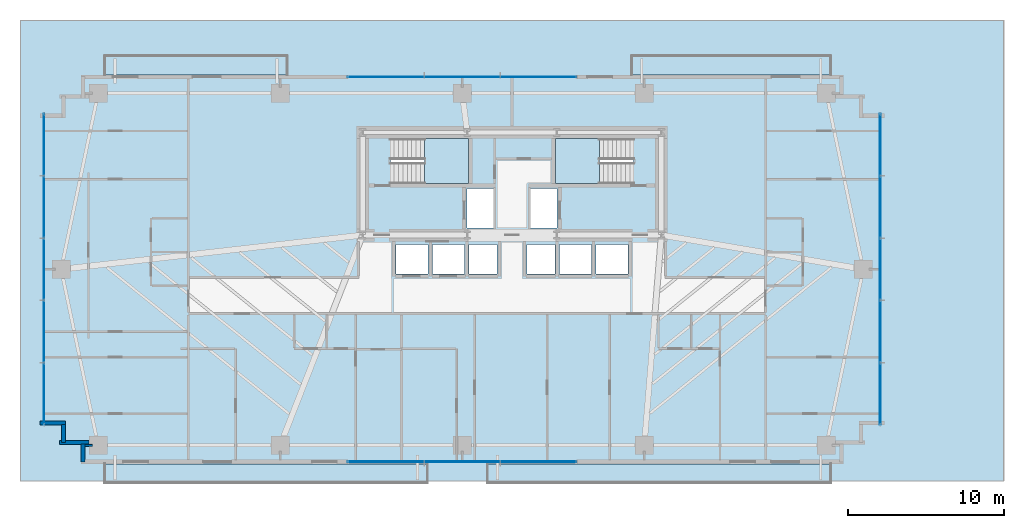
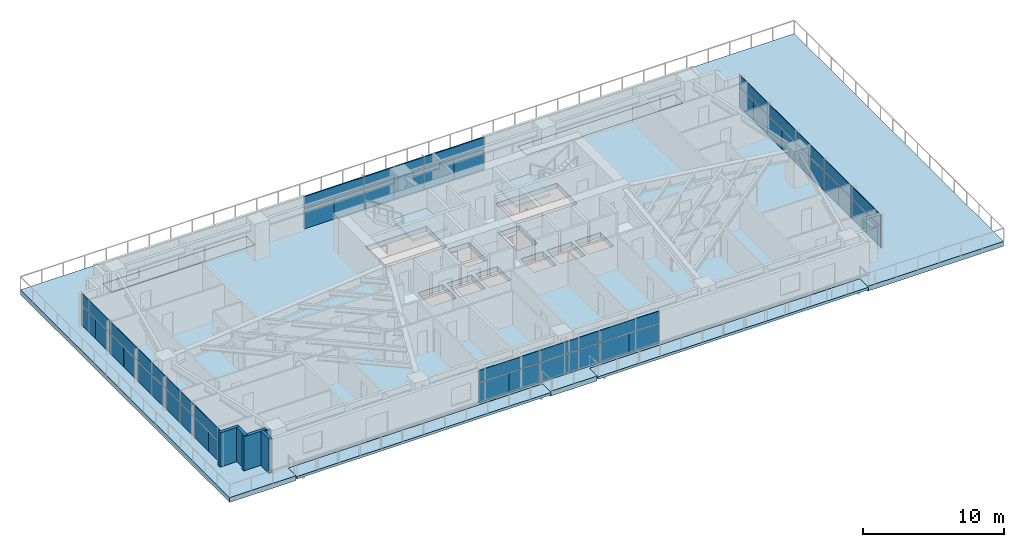
# One storey, part 18 of 26: 48 plates, 7 slabs, 5 walls, 6 elements without a shape of their own.
"""IFC4 building model written with IfcOpenShell, lengths in metres."""

from ifc_helpers import new_model, si_unit, direction, frame, frame_2d, origin, origin_2d, place, context, subcontext, project, spatial, polyline, rectangle, outline, extrude, source, transform, mapped, material, layer, layer_set, type_object, type_shapes, element, aggregate, save


model = new_model("IFC4")

# Units and contexts
model_context = context("Model", 3, precision=1e-05, world=origin(), true_north=direction((0.0, 1.0)))
body_context = subcontext(model_context, "Body", "Model", "MODEL_VIEW")
ifc_project = project(units=[si_unit("LENGTHUNIT", "METRE"), si_unit("AREAUNIT", "SQUARE_METRE"), si_unit("VOLUMEUNIT", "CUBIC_METRE"), si_unit("PLANEANGLEUNIT", "RADIAN"), si_unit("MASSUNIT", "GRAM", prefix="KILO")], contexts=[model_context])

# Site, building, storey
site_placement = place(None, origin())
site = spatial("IfcSite", under=ifc_project, at=site_placement, CompositionType="ELEMENT")
building_placement = place(site_placement, origin())
building = spatial("IfcBuilding", under=site, at=building_placement, Name="Astriad Promenade Condominiums", CompositionType="ELEMENT")
storey_placement = place(building_placement, frame((0.0, 0.0, 23.0)))
storey = spatial("IfcBuildingStorey", under=building, at=storey_placement, Name="L05", CompositionType="ELEMENT", Elevation=23.0)

# Slab
ifc_material_1 = material(Name="Concrete C60/75", Category="concrete")
ifc_layer_1 = layer(ifc_material_1, 0.419921875)
ifc_layer_set_1 = layer_set([ifc_layer_1], Name="Concrete C60/75")
slab_type_1 = type_object("IfcSlabType", Name="CONCRETE TRANSFER FLOOR SLAB 420", PredefinedType="FLOOR", material=ifc_layer_set_1)
slab_1_placement = place(storey_placement, frame((0.0, 0.0, -0.419921875)))
element("IfcSlab", 1, at=slab_1_placement, inside=storey, type_object=slab_type_1, Name="Structural Floor Slab (L05)", PredefinedType="FLOOR", context=body_context, shape_type="SweptSolid", body=[
    extrude(outline(polyline([(56.49609375, 1.60009765625), (67.60009765625, 1.60009765625), (67.60009765625, 31.199951171875), (4.39990234375, 31.199951171875), (4.39990234375, 1.60009765625), (9.825927734375, 1.60009765625), (9.825927734375, 2.701904296875), (30.574951171875, 2.701904296875), (30.574951171875, 1.60009765625), (34.416015625, 1.60009765625), (34.416015625, 2.701904296875), (56.49609375, 2.701904296875), (56.49609375, 1.60009765625)]), holes=[polyline([(21.552001953125, 28.922119140625), (9.825927734375, 28.922119140625), (9.825927734375, 27.697998046875), (21.552001953125, 27.697998046875), (21.552001953125, 28.922119140625)]), polyline([(56.49609375, 27.697998046875), (56.49609375, 28.922119140625), (43.68798828125, 28.922119140625), (43.68798828125, 27.697998046875), (56.49609375, 27.697998046875)]), polyline([(28.175048828125, 20.699951171875), (33.175048828125, 20.699951171875), (33.175048828125, 23.60009765625), (28.175048828125, 23.60009765625), (28.175048828125, 20.699951171875)]), polyline([(38.824951171875, 20.699951171875), (43.824951171875, 20.699951171875), (43.824951171875, 23.60009765625), (38.824951171875, 23.60009765625), (38.824951171875, 20.699951171875)]), polyline([(33.10009765625, 17.85009765625), (34.800048828125, 17.85009765625), (34.800048828125, 20.39990234375), (33.10009765625, 20.39990234375), (33.10009765625, 17.85009765625)]), polyline([(37.199951171875, 17.85009765625), (38.89990234375, 17.85009765625), (38.89990234375, 20.39990234375), (37.199951171875, 20.39990234375), (37.199951171875, 17.85009765625)]), polyline([(28.550048828125, 14.89990234375), (30.60009765625, 14.89990234375), (30.60009765625, 16.800048828125), (28.550048828125, 16.800048828125), (28.550048828125, 14.89990234375)]), polyline([(30.89990234375, 14.89990234375), (32.949951171875, 14.89990234375), (32.949951171875, 16.800048828125), (30.89990234375, 16.800048828125), (30.89990234375, 14.89990234375)]), polyline([(33.25, 14.89990234375), (35.050048828125, 14.89990234375), (35.050048828125, 16.800048828125), (33.25, 16.800048828125), (33.25, 14.89990234375)]), polyline([(36.949951171875, 14.89990234375), (38.75, 14.89990234375), (38.75, 16.800048828125), (36.949951171875, 16.800048828125), (36.949951171875, 14.89990234375)]), polyline([(39.050048828125, 14.89990234375), (41.10009765625, 14.89990234375), (41.10009765625, 16.800048828125), (39.050048828125, 16.800048828125), (39.050048828125, 14.89990234375)]), polyline([(41.39990234375, 14.89990234375), (43.449951171875, 14.89990234375), (43.449951171875, 16.800048828125), (41.39990234375, 16.800048828125), (41.39990234375, 14.89990234375)])]), origin(), (0.0, 0.0, 1.0), 0.419921875),
])

# Stair, slab
ifc_material_2 = material(Name="Concrete C50/60", Category="concrete")
stair_type = type_object("IfcStairType", Name="STR-CORE-1350", PredefinedType="HALF_TURN_STAIR", material=ifc_material_2)
stair_1_placement = place(storey_placement, origin())
stair_1 = element("IfcStair", 2, at=stair_1_placement, inside=storey, type_object=stair_type, Name="L05 Enclosed Core Exit Stair ST-1", PredefinedType="HALF_TURN_STAIR")
ifc_layer_2 = layer(ifc_material_2, 0.219970703125)
ifc_layer_set_2 = layer_set([ifc_layer_2], Name="Concrete C50/60")
slab_type_2 = type_object("IfcSlabType", Name="SLB-LANDING-220", PredefinedType="LANDING", material=ifc_layer_set_2)
slab_2_placement = place(storey_placement, frame((0.0, 0.0, 1.39990234375)))
slab_2 = element("IfcSlab", 3, at=slab_2_placement, type_object=slab_type_2, Name="ST-1 landing 1", PredefinedType="LANDING", context=body_context, shape_type="SweptSolid", body=[
    extrude(outline(polyline([(30.389892578125, 20.699951171875), (33.199951171875, 20.699951171875), (33.199951171875, 23.60009765625), (30.389892578125, 23.60009765625), (30.389892578125, 20.699951171875)])), origin(), (0.0, 0.0, 1.0), 0.2001953125),
])
aggregate(stair_1, [slab_2])

stair_2_placement = place(storey_placement, origin())
stair_2 = element("IfcStair", 4, at=stair_2_placement, inside=storey, type_object=stair_type, Name="L05 Enclosed Core Exit Stair ST-2", PredefinedType="HALF_TURN_STAIR")
slab_3_placement = place(storey_placement, frame((0.0, 0.0, 1.39990234375)))
slab_3 = element("IfcSlab", 5, at=slab_3_placement, type_object=slab_type_2, Name="ST-2 landing 1", PredefinedType="LANDING", context=body_context, shape_type="SweptSolid", body=[
    extrude(outline(polyline([(41.610107421875, 23.60009765625), (38.800048828125, 23.60009765625), (38.800048828125, 20.699951171875), (41.610107421875, 20.699951171875), (41.610107421875, 23.60009765625)])), origin(), (0.0, 0.0, 1.0), 0.2001953125),
])
aggregate(stair_2, [slab_3])

# Slabs
ifc_material_3 = material(Name="Precast concrete C50/60", Category="concrete")
ifc_layer_3 = layer(ifc_material_3, 0.219970703125)
ifc_layer_set_3 = layer_set([ifc_layer_3], Name="Precast concrete C50/60")
slab_type_3 = type_object("IfcSlabType", Name="WHITE PRECAST CONCRETE WAVE BALCONY SLAB 220", PredefinedType="FLOOR", material=ifc_layer_set_3)
slab_4_placement = place(storey_placement, frame((0.0, 0.0, -0.219970703125)))
element("IfcSlab", 6, at=slab_4_placement, inside=storey, type_object=slab_type_3, Name="White Precast Wave Balcony Slab BAL-L05-SW", PredefinedType="FLOOR", context=body_context, shape_type="SweptSolid", body=[
    extrude(outline(polyline([(9.827880859375, 1.47998046875), (30.572998046875, 1.47998046875), (30.572998046875, 2.699951171875), (9.827880859375, 2.699951171875), (9.827880859375, 1.47998046875)])), origin(), (0.0, 0.0, 1.0), 0.219970703125),
])
slab_5_placement = place(storey_placement, frame((0.0, 0.0, -0.219970703125)))
element("IfcSlab", 7, at=slab_5_placement, inside=storey, type_object=slab_type_3, Name="White Precast Wave Balcony Slab BAL-L05-SE", PredefinedType="FLOOR", context=body_context, shape_type="SweptSolid", body=[
    extrude(outline(polyline([(34.41796875, 1.47998046875), (56.493896484375, 1.47998046875), (56.493896484375, 2.699951171875), (34.41796875, 2.699951171875), (34.41796875, 1.47998046875)])), origin(), (0.0, 0.0, 1.0), 0.219970703125),
])
slab_6_placement = place(storey_placement, frame((0.0, 0.0, -0.219970703125)))
element("IfcSlab", 8, at=slab_6_placement, inside=storey, type_object=slab_type_3, Name="White Precast Wave Balcony Slab BAL-L05-NW", PredefinedType="FLOOR", context=body_context, shape_type="SweptSolid", body=[
    extrude(outline(polyline([(9.827880859375, 27.699951171875), (21.550048828125, 27.699951171875), (21.550048828125, 28.919921875), (9.827880859375, 28.919921875), (9.827880859375, 27.699951171875)])), origin(), (0.0, 0.0, 1.0), 0.219970703125),
])
slab_7_placement = place(storey_placement, frame((0.0, 0.0, -0.219970703125)))
element("IfcSlab", 9, at=slab_7_placement, inside=storey, type_object=slab_type_3, Name="White Precast Wave Balcony Slab BAL-L05-NE", PredefinedType="FLOOR", context=body_context, shape_type="SweptSolid", body=[
    extrude(outline(polyline([(43.68994140625, 27.699951171875), (56.493896484375, 27.699951171875), (56.493896484375, 28.919921875), (43.68994140625, 28.919921875), (43.68994140625, 27.699951171875)])), origin(), (0.0, 0.0, 1.0), 0.219970703125),
])

# Curtain wall, plates
ifc_material_4 = material(Name="Anodised aluminium Black Dark Glass Unitised", Category="aluminium")
curtain_wall_type = type_object("IfcCurtainWallType", Name="CW-B1-DARK", PredefinedType="USERDEFINED", material=ifc_material_4)
curtain_wall_1_placement = place(storey_placement, origin())
curtain_wall_1 = element("IfcCurtainWall", 10, at=curtain_wall_1_placement, inside=storey, type_object=curtain_wall_type, Name="CW-L05-W", ObjectType="UNITISED_CURTAIN_WALL", PredefinedType="USERDEFINED")
ifc_material_5 = material(Name="Dark Tinted Low-E Laminated Glass", Category="glass")
ifc_layer_4 = layer(ifc_material_5, 0.035888671875)
ifc_layer_set_4 = layer_set([ifc_layer_4], Name="Dark Tinted Low-E Laminated Glass")
plate_type = type_object("IfcPlateType", Name="PNL-DARK-GLASS-36", PredefinedType="CURTAIN_PANEL", material=ifc_layer_set_4)
shared_shape_1 = source(origin(), body_context, "Body", "SweptSolid", [
    extrude(rectangle(XDim=1.988037109375, YDim=0.035888671875, at=origin_2d()), origin(), (0.0, 0.0, 1.0), 1.702880859375),
])
plate_1_placement = place(storey_placement, frame((5.929931640625, 6.199951171875, 0.080078125), z_axis=(0.0, 0.0, 1.0), x_axis=(0.0, 1.0, 0.0)))
plate_1 = element("IfcPlate", 11, at=plate_1_placement, type_object=plate_type, Name="CW-L05-W-PNL-00-VL", PredefinedType="CURTAIN_PANEL", context=body_context, shape_type="MappedRepresentation", body=[
    mapped(shared_shape_1, transform((0.0, 0.0, 0.0), scale=1.0)),
])
plate_2_placement = place(storey_placement, frame((5.929931640625, 8.199951171875, 0.080078125), z_axis=(0.0, 0.0, 1.0), x_axis=(0.0, 1.0, 0.0)))
plate_2 = element("IfcPlate", 12, at=plate_2_placement, type_object=plate_type, Name="CW-L05-W-PNL-00-VR", PredefinedType="CURTAIN_PANEL", context=body_context, shape_type="MappedRepresentation", body=[
    mapped(shared_shape_1, transform((0.0, 0.0, 0.0), scale=1.0)),
])
plate_3_placement = place(storey_placement, frame((5.929931640625, 10.199951171875, 0.080078125), z_axis=(0.0, 0.0, 1.0), x_axis=(0.0, 1.0, 0.0)))
plate_3 = element("IfcPlate", 13, at=plate_3_placement, type_object=plate_type, Name="CW-L05-W-PNL-01-VL", PredefinedType="CURTAIN_PANEL", context=body_context, shape_type="MappedRepresentation", body=[
    mapped(shared_shape_1, transform((0.0, 0.0, 0.0), scale=1.0)),
])
plate_4_placement = place(storey_placement, frame((5.929931640625, 12.199951171875, 0.080078125), z_axis=(0.0, 0.0, 1.0), x_axis=(0.0, 1.0, 0.0)))
plate_4 = element("IfcPlate", 14, at=plate_4_placement, type_object=plate_type, Name="CW-L05-W-PNL-01-VR", PredefinedType="CURTAIN_PANEL", context=body_context, shape_type="MappedRepresentation", body=[
    mapped(shared_shape_1, transform((0.0, 0.0, 0.0), scale=1.0)),
])
plate_5_placement = place(storey_placement, frame((5.929931640625, 14.199951171875, 0.080078125), z_axis=(0.0, 0.0, 1.0), x_axis=(0.0, 1.0, 0.0)))
plate_5 = element("IfcPlate", 15, at=plate_5_placement, type_object=plate_type, Name="CW-L05-W-PNL-02-VL", PredefinedType="CURTAIN_PANEL", context=body_context, shape_type="MappedRepresentation", body=[
    mapped(shared_shape_1, transform((0.0, 0.0, 0.0), scale=1.0)),
])
plate_6_placement = place(storey_placement, frame((5.929931640625, 16.199951171875, 0.080078125), z_axis=(0.0, 0.0, 1.0), x_axis=(0.0, 1.0, 0.0)))
plate_6 = element("IfcPlate", 16, at=plate_6_placement, type_object=plate_type, Name="CW-L05-W-PNL-02-VR", PredefinedType="CURTAIN_PANEL", context=body_context, shape_type="MappedRepresentation", body=[
    mapped(shared_shape_1, transform((0.0, 0.0, 0.0), scale=1.0)),
])
plate_7_placement = place(storey_placement, frame((5.929931640625, 18.199951171875, 0.080078125), z_axis=(0.0, 0.0, 1.0), x_axis=(0.0, 1.0, 0.0)))
plate_7 = element("IfcPlate", 17, at=plate_7_placement, type_object=plate_type, Name="CW-L05-W-PNL-03-VL", PredefinedType="CURTAIN_PANEL", context=body_context, shape_type="MappedRepresentation", body=[
    mapped(shared_shape_1, transform((0.0, 0.0, 0.0), scale=1.0)),
])
plate_8_placement = place(storey_placement, frame((5.929931640625, 20.199951171875, 0.080078125), z_axis=(0.0, 0.0, 1.0), x_axis=(0.0, 1.0, 0.0)))
plate_8 = element("IfcPlate", 18, at=plate_8_placement, type_object=plate_type, Name="CW-L05-W-PNL-03-VR", PredefinedType="CURTAIN_PANEL", context=body_context, shape_type="MappedRepresentation", body=[
    mapped(shared_shape_1, transform((0.0, 0.0, 0.0), scale=1.0)),
])
plate_9_placement = place(storey_placement, frame((5.929931640625, 22.199951171875, 0.080078125), z_axis=(0.0, 0.0, 1.0), x_axis=(0.0, 1.0, 0.0)))
plate_9 = element("IfcPlate", 19, at=plate_9_placement, type_object=plate_type, Name="CW-L05-W-PNL-04-VL", PredefinedType="CURTAIN_PANEL", context=body_context, shape_type="MappedRepresentation", body=[
    mapped(shared_shape_1, transform((0.0, 0.0, 0.0), scale=1.0)),
])
plate_10_placement = place(storey_placement, frame((5.929931640625, 24.199951171875, 0.080078125), z_axis=(0.0, 0.0, 1.0), x_axis=(0.0, 1.0, 0.0)))
plate_10 = element("IfcPlate", 20, at=plate_10_placement, type_object=plate_type, Name="CW-L05-W-PNL-04-VR", PredefinedType="CURTAIN_PANEL", context=body_context, shape_type="MappedRepresentation", body=[
    mapped(shared_shape_1, transform((0.0, 0.0, 0.0), scale=1.0)),
])

curtain_wall_2_placement = place(storey_placement, origin())
curtain_wall_2 = element("IfcCurtainWall", 21, at=curtain_wall_2_placement, inside=storey, type_object=curtain_wall_type, Name="CW-L05-E", ObjectType="UNITISED_CURTAIN_WALL", PredefinedType="USERDEFINED")
plate_11_placement = place(storey_placement, frame((59.669921875, 24.199951171875, 0.080078125), z_axis=(0.0, 0.0, 1.0), x_axis=(0.0, -1.0, 0.0)))
plate_11 = element("IfcPlate", 22, at=plate_11_placement, type_object=plate_type, Name="CW-L05-E-PNL-00-VL", PredefinedType="CURTAIN_PANEL", context=body_context, shape_type="MappedRepresentation", body=[
    mapped(shared_shape_1, transform((0.0, 0.0, 0.0), scale=1.0)),
])
plate_12_placement = place(storey_placement, frame((59.669921875, 22.199951171875, 0.080078125), z_axis=(0.0, 0.0, 1.0), x_axis=(0.0, -1.0, 0.0)))
plate_12 = element("IfcPlate", 23, at=plate_12_placement, type_object=plate_type, Name="CW-L05-E-PNL-00-VR", PredefinedType="CURTAIN_PANEL", context=body_context, shape_type="MappedRepresentation", body=[
    mapped(shared_shape_1, transform((0.0, 0.0, 0.0), scale=1.0)),
])
plate_13_placement = place(storey_placement, frame((59.669921875, 20.199951171875, 0.080078125), z_axis=(0.0, 0.0, 1.0), x_axis=(0.0, -1.0, 0.0)))
plate_13 = element("IfcPlate", 24, at=plate_13_placement, type_object=plate_type, Name="CW-L05-E-PNL-01-VL", PredefinedType="CURTAIN_PANEL", context=body_context, shape_type="MappedRepresentation", body=[
    mapped(shared_shape_1, transform((0.0, 0.0, 0.0), scale=1.0)),
])
plate_14_placement = place(storey_placement, frame((59.669921875, 18.199951171875, 0.080078125), z_axis=(0.0, 0.0, 1.0), x_axis=(0.0, -1.0, 0.0)))
plate_14 = element("IfcPlate", 25, at=plate_14_placement, type_object=plate_type, Name="CW-L05-E-PNL-01-VR", PredefinedType="CURTAIN_PANEL", context=body_context, shape_type="MappedRepresentation", body=[
    mapped(shared_shape_1, transform((0.0, 0.0, 0.0), scale=1.0)),
])
plate_15_placement = place(storey_placement, frame((59.669921875, 16.199951171875, 0.080078125), z_axis=(0.0, 0.0, 1.0), x_axis=(0.0, -1.0, 0.0)))
plate_15 = element("IfcPlate", 26, at=plate_15_placement, type_object=plate_type, Name="CW-L05-E-PNL-02-VL", PredefinedType="CURTAIN_PANEL", context=body_context, shape_type="MappedRepresentation", body=[
    mapped(shared_shape_1, transform((0.0, 0.0, 0.0), scale=1.0)),
])
plate_16_placement = place(storey_placement, frame((59.669921875, 14.199951171875, 0.080078125), z_axis=(0.0, 0.0, 1.0), x_axis=(0.0, -1.0, 0.0)))
plate_16 = element("IfcPlate", 27, at=plate_16_placement, type_object=plate_type, Name="CW-L05-E-PNL-02-VR", PredefinedType="CURTAIN_PANEL", context=body_context, shape_type="MappedRepresentation", body=[
    mapped(shared_shape_1, transform((0.0, 0.0, 0.0), scale=1.0)),
])
plate_17_placement = place(storey_placement, frame((59.669921875, 12.199951171875, 0.080078125), z_axis=(0.0, 0.0, 1.0), x_axis=(0.0, -1.0, 0.0)))
plate_17 = element("IfcPlate", 28, at=plate_17_placement, type_object=plate_type, Name="CW-L05-E-PNL-03-VL", PredefinedType="CURTAIN_PANEL", context=body_context, shape_type="MappedRepresentation", body=[
    mapped(shared_shape_1, transform((0.0, 0.0, 0.0), scale=1.0)),
])
plate_18_placement = place(storey_placement, frame((59.669921875, 10.199951171875, 0.080078125), z_axis=(0.0, 0.0, 1.0), x_axis=(0.0, -1.0, 0.0)))
plate_18 = element("IfcPlate", 29, at=plate_18_placement, type_object=plate_type, Name="CW-L05-E-PNL-03-VR", PredefinedType="CURTAIN_PANEL", context=body_context, shape_type="MappedRepresentation", body=[
    mapped(shared_shape_1, transform((0.0, 0.0, 0.0), scale=1.0)),
])
plate_19_placement = place(storey_placement, frame((59.669921875, 8.199951171875, 0.080078125), z_axis=(0.0, 0.0, 1.0), x_axis=(0.0, -1.0, 0.0)))
plate_19 = element("IfcPlate", 30, at=plate_19_placement, type_object=plate_type, Name="CW-L05-E-PNL-04-VL", PredefinedType="CURTAIN_PANEL", context=body_context, shape_type="MappedRepresentation", body=[
    mapped(shared_shape_1, transform((0.0, 0.0, 0.0), scale=1.0)),
])
plate_20_placement = place(storey_placement, frame((59.669921875, 6.199951171875, 0.080078125), z_axis=(0.0, 0.0, 1.0), x_axis=(0.0, -1.0, 0.0)))
plate_20 = element("IfcPlate", 31, at=plate_20_placement, type_object=plate_type, Name="CW-L05-E-PNL-04-VR", PredefinedType="CURTAIN_PANEL", context=body_context, shape_type="MappedRepresentation", body=[
    mapped(shared_shape_1, transform((0.0, 0.0, 0.0), scale=1.0)),
])

# Plate
shared_shape_2 = source(origin(), body_context, "Body", "SweptSolid", [
    extrude(rectangle(XDim=3.988037109375, YDim=0.035888671875, at=origin_2d()), origin(), (0.0, 0.0, 1.0), 0.997314453125),
])
plate_21_placement = place(storey_placement, frame((5.929931640625, 7.199951171875, 1.86279296875), z_axis=(0.0, 0.0, 1.0), x_axis=(0.0, 1.0, 0.0)))
plate_21 = element("IfcPlate", 32, at=plate_21_placement, type_object=plate_type, Name="CW-L05-W-PNL-00-S", PredefinedType="CURTAIN_PANEL", context=body_context, shape_type="MappedRepresentation", body=[
    mapped(shared_shape_2, transform((0.0, 0.0, 0.0), scale=1.0)),
])

plate_22_placement = place(storey_placement, frame((5.929931640625, 11.199951171875, 1.86279296875), z_axis=(0.0, 0.0, 1.0), x_axis=(0.0, 1.0, 0.0)))
plate_22 = element("IfcPlate", 33, at=plate_22_placement, type_object=plate_type, Name="CW-L05-W-PNL-01-S", PredefinedType="CURTAIN_PANEL", context=body_context, shape_type="MappedRepresentation", body=[
    mapped(shared_shape_2, transform((0.0, 0.0, 0.0), scale=1.0)),
])

plate_23_placement = place(storey_placement, frame((5.929931640625, 15.199951171875, 1.86279296875), z_axis=(0.0, 0.0, 1.0), x_axis=(0.0, 1.0, 0.0)))
plate_23 = element("IfcPlate", 34, at=plate_23_placement, type_object=plate_type, Name="CW-L05-W-PNL-02-S", PredefinedType="CURTAIN_PANEL", context=body_context, shape_type="MappedRepresentation", body=[
    mapped(shared_shape_2, transform((0.0, 0.0, 0.0), scale=1.0)),
])

plate_24_placement = place(storey_placement, frame((5.929931640625, 19.199951171875, 1.86279296875), z_axis=(0.0, 0.0, 1.0), x_axis=(0.0, 1.0, 0.0)))
plate_24 = element("IfcPlate", 35, at=plate_24_placement, type_object=plate_type, Name="CW-L05-W-PNL-03-S", PredefinedType="CURTAIN_PANEL", context=body_context, shape_type="MappedRepresentation", body=[
    mapped(shared_shape_2, transform((0.0, 0.0, 0.0), scale=1.0)),
])

plate_25_placement = place(storey_placement, frame((5.929931640625, 23.199951171875, 1.86279296875), z_axis=(0.0, 0.0, 1.0), x_axis=(0.0, 1.0, 0.0)))
plate_25 = element("IfcPlate", 36, at=plate_25_placement, type_object=plate_type, Name="CW-L05-W-PNL-04-S", PredefinedType="CURTAIN_PANEL", context=body_context, shape_type="MappedRepresentation", body=[
    mapped(shared_shape_2, transform((0.0, 0.0, 0.0), scale=1.0)),
])

aggregate(curtain_wall_1, [plate_1, plate_2, plate_21, plate_3, plate_4, plate_22, plate_5, plate_6, plate_23, plate_7, plate_8, plate_24, plate_9, plate_10, plate_25])

plate_26_placement = place(storey_placement, frame((59.669921875, 23.199951171875, 1.86279296875), z_axis=(0.0, 0.0, 1.0), x_axis=(0.0, -1.0, 0.0)))
plate_26 = element("IfcPlate", 37, at=plate_26_placement, type_object=plate_type, Name="CW-L05-E-PNL-00-S", PredefinedType="CURTAIN_PANEL", context=body_context, shape_type="MappedRepresentation", body=[
    mapped(shared_shape_2, transform((0.0, 0.0, 0.0), scale=1.0)),
])

plate_27_placement = place(storey_placement, frame((59.669921875, 19.199951171875, 1.86279296875), z_axis=(0.0, 0.0, 1.0), x_axis=(0.0, -1.0, 0.0)))
plate_27 = element("IfcPlate", 38, at=plate_27_placement, type_object=plate_type, Name="CW-L05-E-PNL-01-S", PredefinedType="CURTAIN_PANEL", context=body_context, shape_type="MappedRepresentation", body=[
    mapped(shared_shape_2, transform((0.0, 0.0, 0.0), scale=1.0)),
])

plate_28_placement = place(storey_placement, frame((59.669921875, 15.199951171875, 1.86279296875), z_axis=(0.0, 0.0, 1.0), x_axis=(0.0, -1.0, 0.0)))
plate_28 = element("IfcPlate", 39, at=plate_28_placement, type_object=plate_type, Name="CW-L05-E-PNL-02-S", PredefinedType="CURTAIN_PANEL", context=body_context, shape_type="MappedRepresentation", body=[
    mapped(shared_shape_2, transform((0.0, 0.0, 0.0), scale=1.0)),
])

plate_29_placement = place(storey_placement, frame((59.669921875, 11.199951171875, 1.86279296875), z_axis=(0.0, 0.0, 1.0), x_axis=(0.0, -1.0, 0.0)))
plate_29 = element("IfcPlate", 40, at=plate_29_placement, type_object=plate_type, Name="CW-L05-E-PNL-03-S", PredefinedType="CURTAIN_PANEL", context=body_context, shape_type="MappedRepresentation", body=[
    mapped(shared_shape_2, transform((0.0, 0.0, 0.0), scale=1.0)),
])

plate_30_placement = place(storey_placement, frame((59.669921875, 7.199951171875, 1.86279296875), z_axis=(0.0, 0.0, 1.0), x_axis=(0.0, -1.0, 0.0)))
plate_30 = element("IfcPlate", 41, at=plate_30_placement, type_object=plate_type, Name="CW-L05-E-PNL-04-S", PredefinedType="CURTAIN_PANEL", context=body_context, shape_type="MappedRepresentation", body=[
    mapped(shared_shape_2, transform((0.0, 0.0, 0.0), scale=1.0)),
])

aggregate(curtain_wall_2, [plate_11, plate_12, plate_26, plate_13, plate_14, plate_27, plate_15, plate_16, plate_28, plate_17, plate_18, plate_29, plate_19, plate_20, plate_30])

# Curtain wall, plates
curtain_wall_3_placement = place(storey_placement, origin())
curtain_wall_3 = element("IfcCurtainWall", 42, at=curtain_wall_3_placement, inside=storey, type_object=curtain_wall_type, Name="CW-L05-N", ObjectType="UNITISED_CURTAIN_WALL", PredefinedType="USERDEFINED")
shared_shape_3 = source(origin(), body_context, "Body", "SweptSolid", [
    extrude(rectangle(XDim=2.43798828125, YDim=0.035888671875, at=origin_2d()), origin(), (0.0, 0.0, 1.0), 1.702880859375),
])
plate_31_placement = place(storey_placement, frame((26.675048828125, 27.570068359375, 0.080078125), z_axis=(0.0, 0.0, 1.0), x_axis=(1.0, 0.0, 0.0)))
plate_31 = element("IfcPlate", 43, at=plate_31_placement, type_object=plate_type, Name="CW-L05-N-PNL-00-VL", PredefinedType="CURTAIN_PANEL", context=body_context, shape_type="MappedRepresentation", body=[
    mapped(shared_shape_3, transform((0.0, 0.0, 0.0), scale=1.0)),
])
plate_32_placement = place(storey_placement, frame((29.125, 27.570068359375, 0.080078125), z_axis=(0.0, 0.0, 1.0), x_axis=(1.0, 0.0, 0.0)))
plate_32 = element("IfcPlate", 44, at=plate_32_placement, type_object=plate_type, Name="CW-L05-N-PNL-00-VR", PredefinedType="CURTAIN_PANEL", context=body_context, shape_type="MappedRepresentation", body=[
    mapped(shared_shape_3, transform((0.0, 0.0, 0.0), scale=1.0)),
])
plate_33_placement = place(storey_placement, frame((31.574951171875, 27.570068359375, 0.080078125), z_axis=(0.0, 0.0, 1.0), x_axis=(1.0, 0.0, 0.0)))
plate_33 = element("IfcPlate", 45, at=plate_33_placement, type_object=plate_type, Name="CW-L05-N-PNL-01-VL", PredefinedType="CURTAIN_PANEL", context=body_context, shape_type="MappedRepresentation", body=[
    mapped(shared_shape_3, transform((0.0, 0.0, 0.0), scale=1.0)),
])
plate_34_placement = place(storey_placement, frame((34.02490234375, 27.570068359375, 0.080078125), z_axis=(0.0, 0.0, 1.0), x_axis=(1.0, 0.0, 0.0)))
plate_34 = element("IfcPlate", 46, at=plate_34_placement, type_object=plate_type, Name="CW-L05-N-PNL-01-VR", PredefinedType="CURTAIN_PANEL", context=body_context, shape_type="MappedRepresentation", body=[
    mapped(shared_shape_3, transform((0.0, 0.0, 0.0), scale=1.0)),
])
plate_35_placement = place(storey_placement, frame((36.47509765625, 27.570068359375, 0.080078125), z_axis=(0.0, 0.0, 1.0), x_axis=(1.0, 0.0, 0.0)))
plate_35 = element("IfcPlate", 47, at=plate_35_placement, type_object=plate_type, Name="CW-L05-N-PNL-02-VL", PredefinedType="CURTAIN_PANEL", context=body_context, shape_type="MappedRepresentation", body=[
    mapped(shared_shape_3, transform((0.0, 0.0, 0.0), scale=1.0)),
])
plate_36_placement = place(storey_placement, frame((38.925048828125, 27.570068359375, 0.080078125), z_axis=(0.0, 0.0, 1.0), x_axis=(1.0, 0.0, 0.0)))
plate_36 = element("IfcPlate", 48, at=plate_36_placement, type_object=plate_type, Name="CW-L05-N-PNL-02-VR", PredefinedType="CURTAIN_PANEL", context=body_context, shape_type="MappedRepresentation", body=[
    mapped(shared_shape_3, transform((0.0, 0.0, 0.0), scale=1.0)),
])

curtain_wall_4_placement = place(storey_placement, origin())
curtain_wall_4 = element("IfcCurtainWall", 49, at=curtain_wall_4_placement, inside=storey, type_object=curtain_wall_type, Name="CW-L05-S", ObjectType="UNITISED_CURTAIN_WALL", PredefinedType="USERDEFINED")
plate_37_placement = place(storey_placement, frame((38.925048828125, 2.830078125, 0.080078125), z_axis=(0.0, 0.0, 1.0), x_axis=(-1.0, 0.0, 0.0)))
plate_37 = element("IfcPlate", 50, at=plate_37_placement, type_object=plate_type, Name="CW-L05-S-PNL-00-VL", PredefinedType="CURTAIN_PANEL", context=body_context, shape_type="MappedRepresentation", body=[
    mapped(shared_shape_3, transform((0.0, 0.0, 0.0), scale=1.0)),
])
plate_38_placement = place(storey_placement, frame((36.47509765625, 2.830078125, 0.080078125), z_axis=(0.0, 0.0, 1.0), x_axis=(-1.0, 0.0, 0.0)))
plate_38 = element("IfcPlate", 51, at=plate_38_placement, type_object=plate_type, Name="CW-L05-S-PNL-00-VR", PredefinedType="CURTAIN_PANEL", context=body_context, shape_type="MappedRepresentation", body=[
    mapped(shared_shape_3, transform((0.0, 0.0, 0.0), scale=1.0)),
])
plate_39_placement = place(storey_placement, frame((34.02490234375, 2.830078125, 0.080078125), z_axis=(0.0, 0.0, 1.0), x_axis=(-1.0, 0.0, 0.0)))
plate_39 = element("IfcPlate", 52, at=plate_39_placement, type_object=plate_type, Name="CW-L05-S-PNL-01-VL", PredefinedType="CURTAIN_PANEL", context=body_context, shape_type="MappedRepresentation", body=[
    mapped(shared_shape_3, transform((0.0, 0.0, 0.0), scale=1.0)),
])
plate_40_placement = place(storey_placement, frame((31.574951171875, 2.830078125, 0.080078125), z_axis=(0.0, 0.0, 1.0), x_axis=(-1.0, 0.0, 0.0)))
plate_40 = element("IfcPlate", 53, at=plate_40_placement, type_object=plate_type, Name="CW-L05-S-PNL-01-VR", PredefinedType="CURTAIN_PANEL", context=body_context, shape_type="MappedRepresentation", body=[
    mapped(shared_shape_3, transform((0.0, 0.0, 0.0), scale=1.0)),
])
plate_41_placement = place(storey_placement, frame((29.125, 2.830078125, 0.080078125), z_axis=(0.0, 0.0, 1.0), x_axis=(-1.0, 0.0, 0.0)))
plate_41 = element("IfcPlate", 54, at=plate_41_placement, type_object=plate_type, Name="CW-L05-S-PNL-02-VL", PredefinedType="CURTAIN_PANEL", context=body_context, shape_type="MappedRepresentation", body=[
    mapped(shared_shape_3, transform((0.0, 0.0, 0.0), scale=1.0)),
])
plate_42_placement = place(storey_placement, frame((26.675048828125, 2.830078125, 0.080078125), z_axis=(0.0, 0.0, 1.0), x_axis=(-1.0, 0.0, 0.0)))
plate_42 = element("IfcPlate", 55, at=plate_42_placement, type_object=plate_type, Name="CW-L05-S-PNL-02-VR", PredefinedType="CURTAIN_PANEL", context=body_context, shape_type="MappedRepresentation", body=[
    mapped(shared_shape_3, transform((0.0, 0.0, 0.0), scale=1.0)),
])

# Plate
shared_shape_4 = source(origin(), body_context, "Body", "SweptSolid", [
    extrude(rectangle(XDim=4.887939453125, YDim=0.035888671875, at=origin_2d()), origin(), (0.0, 0.0, 1.0), 0.997314453125),
])
type_shapes(plate_type, [shared_shape_1, shared_shape_2, shared_shape_3, shared_shape_4])
plate_43_placement = place(storey_placement, frame((27.89990234375, 27.570068359375, 1.86279296875), z_axis=(0.0, 0.0, 1.0), x_axis=(1.0, 0.0, 0.0)))
plate_43 = element("IfcPlate", 56, at=plate_43_placement, type_object=plate_type, Name="CW-L05-N-PNL-00-S", PredefinedType="CURTAIN_PANEL", context=body_context, shape_type="MappedRepresentation", body=[
    mapped(shared_shape_4, transform((0.0, 0.0, 0.0), scale=1.0)),
])

plate_44_placement = place(storey_placement, frame((32.800048828125, 27.570068359375, 1.86279296875), z_axis=(0.0, 0.0, 1.0), x_axis=(1.0, 0.0, 0.0)))
plate_44 = element("IfcPlate", 57, at=plate_44_placement, type_object=plate_type, Name="CW-L05-N-PNL-01-S", PredefinedType="CURTAIN_PANEL", context=body_context, shape_type="MappedRepresentation", body=[
    mapped(shared_shape_4, transform((0.0, 0.0, 0.0), scale=1.0)),
])

plate_45_placement = place(storey_placement, frame((37.699951171875, 27.570068359375, 1.86279296875), z_axis=(0.0, 0.0, 1.0), x_axis=(1.0, 0.0, 0.0)))
plate_45 = element("IfcPlate", 58, at=plate_45_placement, type_object=plate_type, Name="CW-L05-N-PNL-02-S", PredefinedType="CURTAIN_PANEL", context=body_context, shape_type="MappedRepresentation", body=[
    mapped(shared_shape_4, transform((0.0, 0.0, 0.0), scale=1.0)),
])

aggregate(curtain_wall_3, [plate_31, plate_32, plate_43, plate_33, plate_34, plate_44, plate_35, plate_36, plate_45])

plate_46_placement = place(storey_placement, frame((37.699951171875, 2.830078125, 1.86279296875), z_axis=(0.0, 0.0, 1.0), x_axis=(-1.0, 0.0, 0.0)))
plate_46 = element("IfcPlate", 59, at=plate_46_placement, type_object=plate_type, Name="CW-L05-S-PNL-00-S", PredefinedType="CURTAIN_PANEL", context=body_context, shape_type="MappedRepresentation", body=[
    mapped(shared_shape_4, transform((0.0, 0.0, 0.0), scale=1.0)),
])

plate_47_placement = place(storey_placement, frame((32.800048828125, 2.830078125, 1.86279296875), z_axis=(0.0, 0.0, 1.0), x_axis=(-1.0, 0.0, 0.0)))
plate_47 = element("IfcPlate", 60, at=plate_47_placement, type_object=plate_type, Name="CW-L05-S-PNL-01-S", PredefinedType="CURTAIN_PANEL", context=body_context, shape_type="MappedRepresentation", body=[
    mapped(shared_shape_4, transform((0.0, 0.0, 0.0), scale=1.0)),
])

plate_48_placement = place(storey_placement, frame((27.89990234375, 2.830078125, 1.86279296875), z_axis=(0.0, 0.0, 1.0), x_axis=(-1.0, 0.0, 0.0)))
plate_48 = element("IfcPlate", 61, at=plate_48_placement, type_object=plate_type, Name="CW-L05-S-PNL-02-S", PredefinedType="CURTAIN_PANEL", context=body_context, shape_type="MappedRepresentation", body=[
    mapped(shared_shape_4, transform((0.0, 0.0, 0.0), scale=1.0)),
])

aggregate(curtain_wall_4, [plate_37, plate_38, plate_46, plate_39, plate_40, plate_47, plate_41, plate_42, plate_48])

# Walls
ifc_layer_5 = layer(ifc_material_3, 0.260009765625)
ifc_layer_set_5 = layer_set([ifc_layer_5], Name="Precast concrete C50/60")
wall_type_1 = type_object("IfcWallType", Name="WALL-EXT-TWR-260", PredefinedType="STANDARD", material=ifc_layer_set_5)
wall_1_placement = place(storey_placement, frame((8.798095703125, 4.080078125, 0.0), z_axis=(0.0, 0.0, 1.0), x_axis=(-1.0, 0.0, 0.0)))
element("IfcWall", 62, at=wall_1_placement, inside=storey, type_object=wall_type_1, Name="W-SER-L05-00", PredefinedType="STANDARD", context=body_context, shape_type="SweptSolid", body=[
    extrude(rectangle(XDim=1.878173828125, YDim=0.260009765625, at=frame_2d((0.93896484375, 0.0))), origin(), (0.0, 0.0, 1.0), 2.93994140625),
])
wall_2_placement = place(storey_placement, frame((7.179931640625, 4.06494140625, 0.0), z_axis=(0.0, 0.0, 1.0), x_axis=(0.0, 1.0, 0.0)))
element("IfcWall", 63, at=wall_2_placement, inside=storey, type_object=wall_type_1, Name="W-SER-L05-01", PredefinedType="STANDARD", context=body_context, shape_type="SweptSolid", body=[
    extrude(rectangle(XDim=1.150146484375, YDim=0.260009765625, at=frame_2d((0.5751953125, 0.0))), origin(), (0.0, 0.0, 1.0), 2.93994140625),
])
wall_3_placement = place(storey_placement, frame((7.31005859375, 5.330078125, 0.0), z_axis=(0.0, 0.0, 1.0), x_axis=(-1.0, 0.0, 0.0)))
element("IfcWall", 64, at=wall_3_placement, inside=storey, type_object=wall_type_1, Name="W-SER-L05-02", PredefinedType="STANDARD", context=body_context, shape_type="SweptSolid", body=[
    extrude(rectangle(XDim=1.64013671875, YDim=0.260009765625, at=frame_2d((0.820068359375, 0.0))), origin(), (0.0, 0.0, 1.0), 2.93994140625),
])
wall_4_placement = place(storey_placement, frame((8.429931640625, 2.81494140625, 0.0), z_axis=(0.0, 0.0, 1.0), x_axis=(0.0, 1.0, 0.0)))
element("IfcWall", 65, at=wall_4_placement, inside=storey, type_object=wall_type_1, Name="W-SER-L05-19", PredefinedType="STANDARD", context=body_context, shape_type="SweptSolid", body=[
    extrude(rectangle(XDim=1.150146484375, YDim=0.260009765625, at=frame_2d((0.5751953125, 0.0))), origin(), (0.0, 0.0, 1.0), 2.93994140625),
])
ifc_material_6 = material(Name="Acoustic Metal-Stud Gypsum Partition")
ifc_layer_6 = layer(ifc_material_6, 0.1201171875)
ifc_layer_set_6 = layer_set([ifc_layer_6], Name="Acoustic Metal-Stud Gypsum Partition")
wall_type_2 = type_object("IfcWallType", Name="WALL-PART-120", PredefinedType="PARTITIONING", material=ifc_layer_set_6)
wall_5_placement = place(storey_placement, frame((9.02001953125, 3.8798828125, 0.0), z_axis=(0.0, 0.0, 1.0), x_axis=(-1.0, 0.0, 0.0)))
element("IfcWall", 66, at=wall_5_placement, inside=storey, type_object=wall_type_2, Name="PT-PIL-L05-PC01-8", PredefinedType="PARTITIONING", context=body_context, shape_type="SweptSolid", body=[
    extrude(rectangle(XDim=0.4580078125, YDim=0.1201171875, at=frame_2d((0.22900390625, 0.0))), origin(), (0.0, 0.0, 1.0), 2.93994140625),
])

save(model, "model.ifc")
